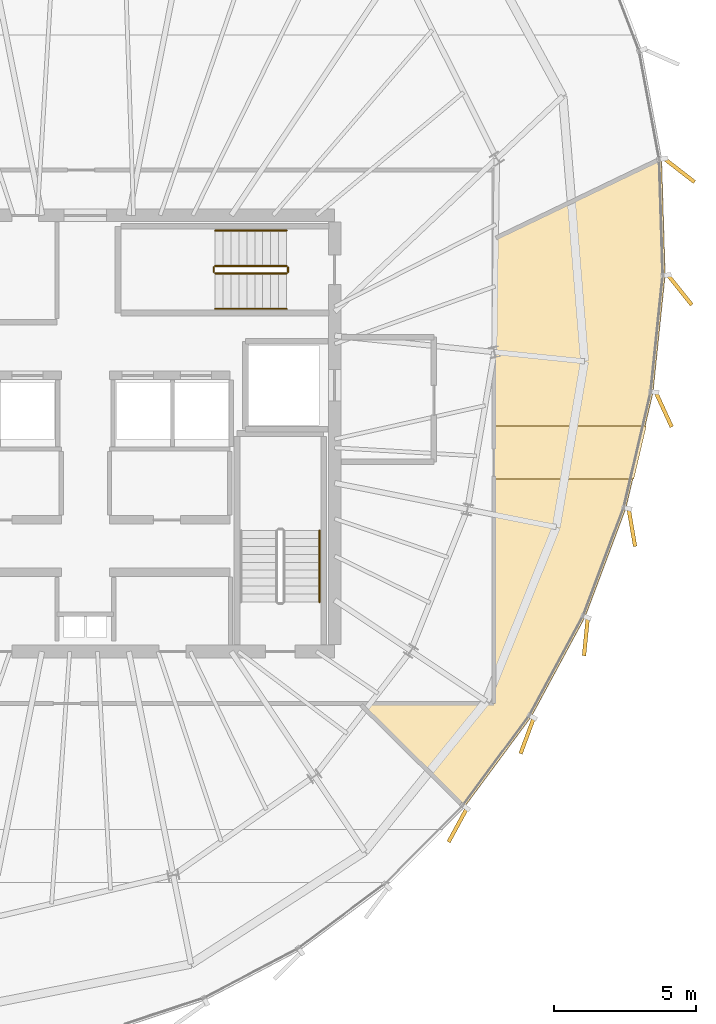
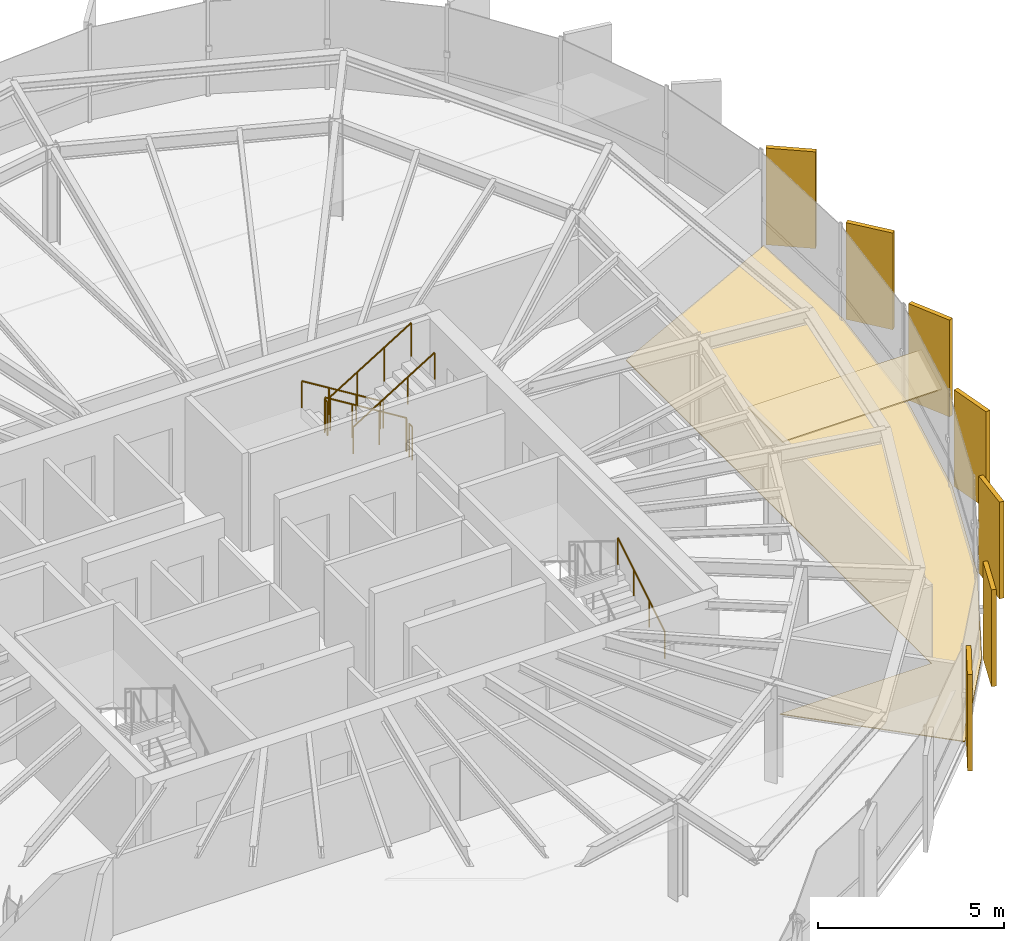
# One storey, part 32 of 33: 9 coverings, 7 railings.
"""IFC4 building model written with IfcOpenShell, lengths in metres."""

from ifc_helpers import new_model, si_unit, direction, frame, origin, origin_2d, place, context, subcontext, project, spatial, polyline, rectangle, circle, outline, extrude, source, transform, mapped, material, layer, layer_set, type_object, element, save


model = new_model("IFC4")

# Units and contexts
model_context = context("Model", 3, precision=1e-05, world=origin(), true_north=direction((0.0, 1.0)))
body_context = subcontext(model_context, "Body", "Model", "MODEL_VIEW")
ifc_project = project(units=[si_unit("LENGTHUNIT", "METRE"), si_unit("AREAUNIT", "SQUARE_METRE"), si_unit("VOLUMEUNIT", "CUBIC_METRE"), si_unit("PLANEANGLEUNIT", "RADIAN"), si_unit("MASSUNIT", "GRAM", prefix="KILO"), si_unit("THERMODYNAMICTEMPERATUREUNIT", "KELVIN")], contexts=[model_context])

# Site, building, storey
site_placement = place(None, origin())
site = spatial("IfcSite", under=ifc_project, at=site_placement, CompositionType="ELEMENT")
building_placement = place(site_placement, origin())
building = spatial("IfcBuilding", under=site, at=building_placement, Name="Kethvar Cultural Tower", CompositionType="ELEMENT")
storey_placement = place(building_placement, frame((0.0, 0.0, 266.35009765625)))
storey = spatial("IfcBuildingStorey", under=building, at=storey_placement, Name="L70", CompositionType="ELEMENT", Elevation=266.35009765625)

# Coverings
ifc_material_1 = material(Name="Acoustic Mineral Fibre Ceiling")
ifc_layer_1 = layer(ifc_material_1, 0.0400390625, Name="Acoustic Mineral Fibre Ceiling")
ifc_layer_set_1 = layer_set([ifc_layer_1], Name="Acoustic Mineral Fibre Ceiling (40 mm)")
covering_type_1 = type_object("IfcCoveringType", Name="CV-ACOUSTIC-CEIL", PredefinedType="CEILING", material=ifc_layer_set_1)
covering_1_placement = place(storey_placement, frame((0.0, 0.0, 2.449951171875)))
element("IfcCovering", 1, at=covering_1_placement, inside=storey, type_object=covering_type_1, Name="L70 Room 02 Acoustic Ceiling Panel", PredefinedType="CEILING", context=body_context, shape_type="SweptSolid", body=[
    extrude(outline(polyline([(66.162109375, 26.19482421875), (61.2060546875, 26.19482421875), (61.2060546875, 28.06494140625), (66.60009765625, 28.06494140625), (66.162109375, 26.19482421875)])), origin(), (0.0, 0.0, 1.0), 0.0400390625),
])
ifc_material_2 = material(Name="Architectural Oak Timber", Category="wood")
ifc_layer_2 = layer(ifc_material_2, 0.02490234375, Name="Architectural Oak Timber", Category="wood")
ifc_layer_set_2 = layer_set([ifc_layer_2], Name="Architectural Oak Timber (25 mm)")
covering_type_2 = type_object("IfcCoveringType", Name="CV-OAK-FLOOR", PredefinedType="FLOORING", material=ifc_layer_set_2)
covering_2_placement = place(storey_placement, origin())
element("IfcCovering", 2, at=covering_2_placement, inside=storey, type_object=covering_type_2, Name="L70 Room 02 Floor Finish", PredefinedType="FLOORING", context=body_context, shape_type="SweptSolid", body=[
    extrude(outline(polyline([(67.26318359375, 33.3916015625), (66.83203125, 29.231689453125), (65.88037109375, 25.16748046875), (64.4423828125, 21.3310546875), (62.543212890625, 17.80908203125), (60.19970703125, 14.642333984375), (56.534423828125, 18.2490234375), (61.2451171875, 18.26318359375), (61.24609375, 34.651123046875), (67.137939453125, 37.45458984375), (67.26318359375, 33.3916015625)])), origin(), (0.0, 0.0, 1.0), 0.02490234375),
])

# Railings
ifc_material_3 = material(Name="Steel S355J2", Category="steel")
railing_type_1 = type_object("IfcRailingType", Name="RL-STAIR-GUARD", PredefinedType="BALUSTRADE", material=ifc_material_3)
railing_1_placement = place(storey_placement, frame((53.89990234375, 33.7099609375, 0.17236328125)))
element("IfcRailing", 3, at=railing_1_placement, inside=storey, type_object=railing_type_1, Name="L70 ST-03 stair guard 1", PredefinedType="BALUSTRADE", context=body_context, shape_type="SweptSolid", body=[
    extrude(circle(Radius=0.02392578125, at=origin_2d()), frame((0.0, 0.0, 1.09619140625), z_axis=(-0.851400495292, 0.0, 0.524516154772), x_axis=(0.0, -1.0, 0.0)), (0.0, 0.0, 1.0), 2.9599609375),
    extrude(circle(Radius=0.02099609375, at=origin_2d()), origin(), (0.0, 0.0, 1.0), 1.072021484375),
    extrude(circle(Radius=0.02099609375, at=origin_2d()), frame((-0.840087890625, 0.0, 0.517578125)), (0.0, 0.0, 1.0), 1.072021484375),
    extrude(circle(Radius=0.02099609375, at=origin_2d()), frame((-1.679931640625, 0.0, 1.034912109375)), (0.0, 0.0, 1.0), 1.072021484375),
    extrude(circle(Radius=0.02099609375, at=origin_2d()), frame((-2.52001953125, 0.0, 1.552490234375)), (0.0, 0.0, 1.0), 1.072021484375),
])
railing_2_placement = place(storey_placement, frame((51.330078125, 33.659912109375, 1.724853515625)))
element("IfcRailing", 4, at=railing_2_placement, inside=storey, type_object=railing_type_1, Name="L70 ST-03 stair guard 2", PredefinedType="BALUSTRADE", context=body_context, shape_type="SweptSolid", body=[
    extrude(circle(Radius=0.02392578125, at=origin_2d()), frame((0.0, 0.0, 1.09619140625), z_axis=(0.0, -1.0, 0.0), x_axis=(1.0, 0.0, 0.0)), (0.0, 0.0, 1.0), 0.159912109375),
    extrude(circle(Radius=0.02099609375, at=origin_2d()), origin(), (0.0, 0.0, 1.0), 1.072021484375),
    extrude(circle(Radius=0.02099609375, at=origin_2d()), frame((0.0, -0.159912109375, 0.0)), (0.0, 0.0, 1.0), 1.072021484375),
])
railing_3_placement = place(storey_placement, frame((51.3798828125, 33.449951171875, 1.8974609375)))
element("IfcRailing", 5, at=railing_3_placement, inside=storey, type_object=railing_type_1, Name="L70 ST-03 stair guard 3", PredefinedType="BALUSTRADE", context=body_context, shape_type="SweptSolid", body=[
    extrude(circle(Radius=0.02392578125, at=origin_2d()), frame((0.0, 0.0, 1.09619140625), z_axis=(0.851400495292, 0.0, 0.524516154772), x_axis=(0.0, 1.0, 0.0)), (0.0, 0.0, 1.0), 2.9599609375),
    extrude(circle(Radius=0.02099609375, at=origin_2d()), origin(), (0.0, 0.0, 1.0), 1.072021484375),
    extrude(circle(Radius=0.02099609375, at=origin_2d()), frame((0.840087890625, 0.0, 0.517578125)), (0.0, 0.0, 1.0), 1.072021484375),
    extrude(circle(Radius=0.02099609375, at=origin_2d()), frame((1.679931640625, 0.0, 1.034912109375)), (0.0, 0.0, 1.0), 1.072021484375),
    extrude(circle(Radius=0.02099609375, at=origin_2d()), frame((2.52001953125, 0.0, 1.552490234375)), (0.0, 0.0, 1.0), 1.072021484375),
])
railing_4_placement = place(storey_placement, frame((53.949951171875, 33.659912109375, 0.0)))
element("IfcRailing", 6, at=railing_4_placement, inside=storey, type_object=railing_type_1, Name="L70 ST-03 stair guard 4", PredefinedType="BALUSTRADE", context=body_context, shape_type="SweptSolid", body=[
    extrude(circle(Radius=0.02392578125, at=origin_2d()), frame((0.0, 0.0, 1.09619140625), z_axis=(0.0, -1.0, 0.0), x_axis=(1.0, 0.0, 0.0)), (0.0, 0.0, 1.0), 0.159912109375),
    extrude(circle(Radius=0.02099609375, at=origin_2d()), origin(), (0.0, 0.0, 1.0), 1.072021484375),
    extrude(circle(Radius=0.02099609375, at=origin_2d()), frame((0.0, -0.159912109375, 0.0)), (0.0, 0.0, 1.0), 1.072021484375),
])
railing_type_2 = type_object("IfcRailingType", Name="RL-STAIR-HANDRAIL", PredefinedType="HANDRAIL", material=ifc_material_3)
railing_5_placement = place(storey_placement, frame((55.06005859375, 21.85009765625, 0.17236328125)))
element("IfcRailing", 7, at=railing_5_placement, inside=storey, type_object=railing_type_2, Name="L70 ST-02 stair handrail 1", PredefinedType="HANDRAIL", context=body_context, shape_type="SweptSolid", body=[
    extrude(circle(Radius=0.02392578125, at=origin_2d()), frame((0.0, 0.0, 0.8759765625), z_axis=(0.0, 0.851400495292, 0.524516154772), x_axis=(-1.0, 0.0, 0.0)), (0.0, 0.0, 1.0), 2.9599609375),
    extrude(circle(Radius=0.02099609375, at=origin_2d()), origin(), (0.0, 0.0, 1.0), 0.851806640625),
    extrude(circle(Radius=0.02099609375, at=origin_2d()), frame((0.0, 0.840087890625, 0.517578125)), (0.0, 0.0, 1.0), 0.851806640625),
    extrude(circle(Radius=0.02099609375, at=origin_2d()), frame((0.0, 1.679931640625, 1.034912109375)), (0.0, 0.0, 1.0), 0.851806640625),
    extrude(circle(Radius=0.02099609375, at=origin_2d()), frame((0.0, 2.52001953125, 1.552490234375)), (0.0, 0.0, 1.0), 0.851806640625),
])
railing_6_placement = place(storey_placement, frame((53.89990234375, 34.9599609375, 0.17236328125)))
element("IfcRailing", 8, at=railing_6_placement, inside=storey, type_object=railing_type_2, Name="L70 ST-03 stair handrail 1", PredefinedType="HANDRAIL", context=body_context, shape_type="SweptSolid", body=[
    extrude(circle(Radius=0.02392578125, at=origin_2d()), frame((0.0, 0.0, 0.8759765625), z_axis=(-0.851400495292, 0.0, 0.524516154772), x_axis=(0.0, -1.0, 0.0)), (0.0, 0.0, 1.0), 2.9599609375),
    extrude(circle(Radius=0.02099609375, at=origin_2d()), origin(), (0.0, 0.0, 1.0), 0.851806640625),
    extrude(circle(Radius=0.02099609375, at=origin_2d()), frame((-0.840087890625, 0.0, 0.517578125)), (0.0, 0.0, 1.0), 0.851806640625),
    extrude(circle(Radius=0.02099609375, at=origin_2d()), frame((-1.679931640625, 0.0, 1.034912109375)), (0.0, 0.0, 1.0), 0.851806640625),
    extrude(circle(Radius=0.02099609375, at=origin_2d()), frame((-2.52001953125, 0.0, 1.552490234375)), (0.0, 0.0, 1.0), 0.851806640625),
])
railing_7_placement = place(storey_placement, frame((51.3798828125, 32.199951171875, 1.8974609375)))
element("IfcRailing", 9, at=railing_7_placement, inside=storey, type_object=railing_type_2, Name="L70 ST-03 stair handrail 2", PredefinedType="HANDRAIL", context=body_context, shape_type="SweptSolid", body=[
    extrude(circle(Radius=0.02392578125, at=origin_2d()), frame((0.0, 0.0, 0.8759765625), z_axis=(0.851400495292, 0.0, 0.524516154772), x_axis=(0.0, 1.0, 0.0)), (0.0, 0.0, 1.0), 2.9599609375),
    extrude(circle(Radius=0.02099609375, at=origin_2d()), origin(), (0.0, 0.0, 1.0), 0.851806640625),
    extrude(circle(Radius=0.02099609375, at=origin_2d()), frame((0.840087890625, 0.0, 0.517578125)), (0.0, 0.0, 1.0), 0.851806640625),
    extrude(circle(Radius=0.02099609375, at=origin_2d()), frame((1.679931640625, 0.0, 1.034912109375)), (0.0, 0.0, 1.0), 0.851806640625),
    extrude(circle(Radius=0.02099609375, at=origin_2d()), frame((2.52001953125, 0.0, 1.552490234375)), (0.0, 0.0, 1.0), 0.851806640625),
])

# Coverings
ifc_material_4 = material(Name="Extruded Architectural Terracotta", Category="masonry")
ifc_layer_3 = layer(ifc_material_4, 0.135009765625, Name="Extruded Architectural Terracotta", Category="masonry")
ifc_layer_set_3 = layer_set([ifc_layer_3], Name="Extruded Architectural Terracotta (135 mm)")
covering_type_3 = type_object("IfcCoveringType", Name="Terracotta Facade Fin FIN-03", PredefinedType="CLADDING", material=ifc_layer_set_3)
shared_shape = source(origin(), body_context, "Body", "SweptSolid", [
    extrude(rectangle(XDim=1.35009765625, YDim=0.135009765625, at=origin_2d()), origin(), (0.0, 0.0, 1.0), 3.169921875),
])
for number, where, z_axis, x_axis, name in (
    (10, (59.944091796875, 13.97119140625, 0.02001953125), (0.0, 0.0, 1.0), (-0.47715876026, -0.878817112662, 0.0), "L70 Vertical Terracotta Fin 5.3"),
    (11, (62.395751953125, 17.12744140625, 0.02001953125), (0.0, 0.0, 1.0), (-0.347590336971, -0.937646499297, 0.0), "L70 Vertical Terracotta Fin 5.4"),
    (12, (64.468994140625, 20.622802734375, 0.02001953125), (0.0, 0.0, 1.0), (-0.098798726275, -0.995107437258, 0.0), "L70 Vertical Terracotta Fin 5.5"),
    (13, (66.09130859375, 24.47802734375, 0.02001953125), (0.0, 0.0, 1.0), (0.168489379565, -0.985703469089, 0.0), "L70 Vertical Terracotta Fin 5.6"),
    (14, (67.216552734375, 28.64208984375, 0.02001953125), (0.0, 0.0, 1.0), (0.416756810089, -0.909018020308, 0.0), "L70 Vertical Terracotta Fin 6.1"),
    (15, (67.78466796875, 32.8662109375, 0.02001953125), (0.0, 0.0, 1.0), (0.624561364338, -0.780975737252, 0.0), "L70 Vertical Terracotta Fin 6.2"),
    (16, (67.76953125, 37.087158203125, 0.02001953125), (0.0, 0.0, 1.0), (0.790796413773, -0.612079269346, 0.0), "L70 Vertical Terracotta Fin 6.3"),
):
    element("IfcCovering", number, at=place(storey_placement, frame(where, z_axis=z_axis, x_axis=x_axis)), inside=storey, type_object=covering_type_3, Name=name, PredefinedType="CLADDING", context=body_context, shape_type="MappedRepresentation", body=[
        mapped(shared_shape, transform((0.0, 0.0, 0.0), scale=1.0)),
    ])

save(model, "model.ifc")
